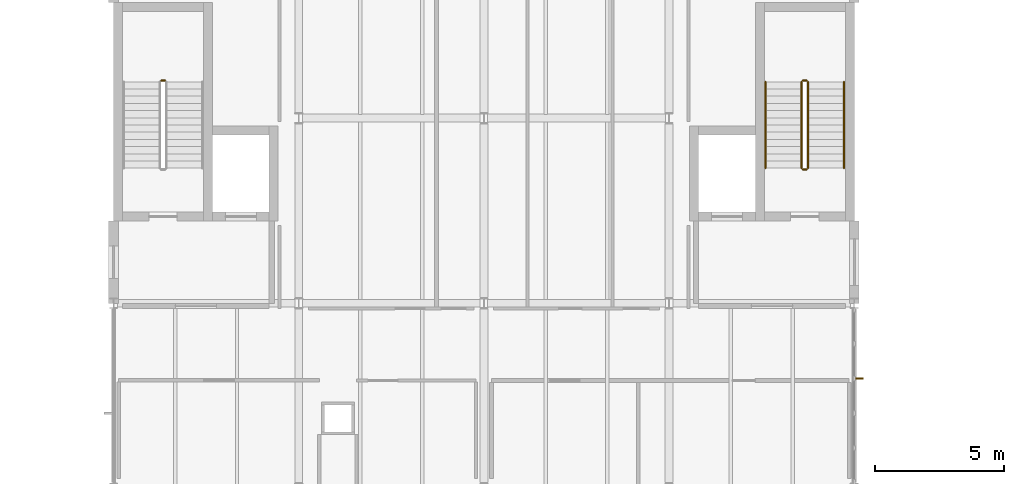
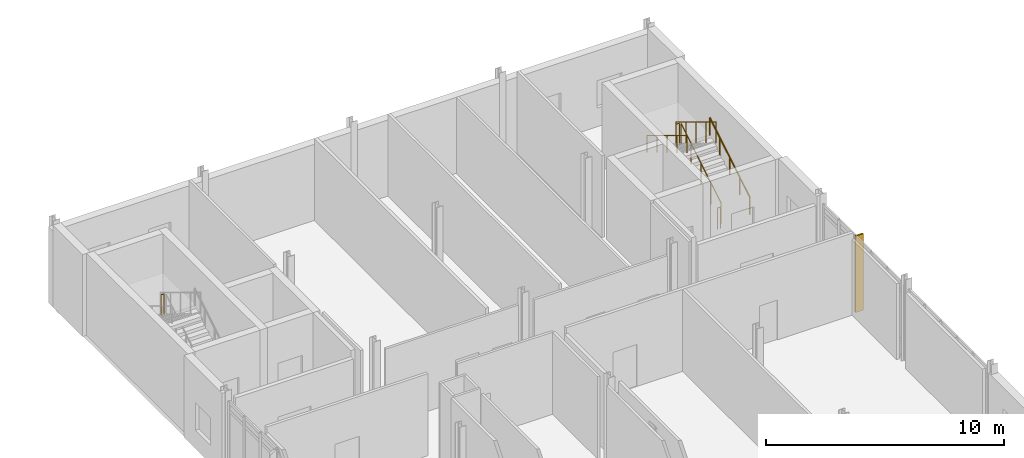
# One storey, part 72 of 72: 7 railings, 1 shading device.
"""IFC4 building model written with IfcOpenShell, lengths in metres."""

from ifc_helpers import new_model, si_unit, direction, frame, origin, origin_2d, place, context, subcontext, project, spatial, rectangle, circle, extrude, material, layer, layer_set, type_object, element, save


model = new_model("IFC4")

# Units and contexts
model_context = context("Model", 3, precision=1e-05, world=origin(), true_north=direction((0.0, 1.0)))
body_context = subcontext(model_context, "Body", "Model", "MODEL_VIEW")
ifc_project = project(units=[si_unit("LENGTHUNIT", "METRE"), si_unit("AREAUNIT", "SQUARE_METRE"), si_unit("VOLUMEUNIT", "CUBIC_METRE"), si_unit("PLANEANGLEUNIT", "RADIAN"), si_unit("MASSUNIT", "GRAM", prefix="KILO")], contexts=[model_context])

# Site, building, storey
site_placement = place(None, origin())
site = spatial("IfcSite", under=ifc_project, at=site_placement, CompositionType="ELEMENT")
building_placement = place(site_placement, origin())
building = spatial("IfcBuilding", under=site, at=building_placement, Name="Zarrinpeak Specialist Clinic", CompositionType="ELEMENT")
storey_placement = place(building_placement, frame((0.0, 0.0, 9.60009765625)))
storey = spatial("IfcBuildingStorey", under=building, at=storey_placement, Name="L02", CompositionType="ELEMENT", Elevation=9.60009765625)

# Railings
ifc_material_1 = material(Name="Laminated Safety Glass and Stainless Steel 316", Category="steel")
ifc_layer_1 = layer(ifc_material_1, 0.06005859375)
ifc_layer_set_1 = layer_set([ifc_layer_1], Name="Laminated Safety Glass and Stainless Steel 316")
railing_type_1 = type_object("IfcRailingType", Name="RL-GRD115", PredefinedType="GUARDRAIL", material=ifc_layer_set_1)
railing_1_placement = place(storey_placement, frame((38.0, 112.260009765625, 2.199951171875)))
element("IfcRailing", 1, at=railing_1_placement, inside=storey, type_object=railing_type_1, Name="L02 ST-11 stair guard 2", PredefinedType="GUARDRAIL", context=body_context, shape_type="SweptSolid", body=[
    extrude(circle(Radius=0.02392578125, at=origin_2d()), frame((0.0, 0.0, 1.076171875), z_axis=(-1.0, 0.0, 0.0), x_axis=(0.0, -1.0, 0.0)), (0.0, 0.0, 1.0), 0.14990234375),
    extrude(circle(Radius=0.02099609375, at=origin_2d()), origin(), (0.0, 0.0, 1.0), 1.052001953125),
    extrude(circle(Radius=0.02099609375, at=origin_2d()), frame((-0.14990234375, 0.0, 0.0)), (0.0, 0.0, 1.0), 1.052001953125),
])
railing_2_placement = place(storey_placement, frame((63.0, 108.85009765625, 0.169189453125)))
element("IfcRailing", 2, at=railing_2_placement, inside=storey, type_object=railing_type_1, Name="L02 ST-12 stair guard 1", PredefinedType="GUARDRAIL", context=body_context, shape_type="SweptSolid", body=[
    extrude(circle(Radius=0.02392578125, at=origin_2d()), frame((0.0, 0.0, 1.076171875), z_axis=(0.0, 0.855820338506, 0.51727318527), x_axis=(-1.0, 0.0, 0.0)), (0.0, 0.0, 1.0), 3.92578125),
    extrude(circle(Radius=0.02099609375, at=origin_2d()), origin(), (0.0, 0.0, 1.0), 1.052001953125),
    extrude(circle(Radius=0.02099609375, at=origin_2d()), frame((0.0, 0.83984375, 0.5078125)), (0.0, 0.0, 1.0), 1.052001953125),
    extrude(circle(Radius=0.02099609375, at=origin_2d()), frame((0.0, 1.679931640625, 1.015380859375)), (0.0, 0.0, 1.0), 1.052001953125),
    extrude(circle(Radius=0.02099609375, at=origin_2d()), frame((0.0, 2.52001953125, 1.52294921875)), (0.0, 0.0, 1.0), 1.052001953125),
    extrude(circle(Radius=0.02099609375, at=origin_2d()), frame((0.0, 3.35986328125, 2.03076171875)), (0.0, 0.0, 1.0), 1.052001953125),
])
railing_3_placement = place(storey_placement, frame((62.949951171875, 112.260009765625, 2.199951171875)))
element("IfcRailing", 3, at=railing_3_placement, inside=storey, type_object=railing_type_1, Name="L02 ST-12 stair guard 2", PredefinedType="GUARDRAIL", context=body_context, shape_type="SweptSolid", body=[
    extrude(circle(Radius=0.02392578125, at=origin_2d()), frame((0.0, 0.0, 1.076171875), z_axis=(-1.0, 0.0, 0.0), x_axis=(0.0, -1.0, 0.0)), (0.0, 0.0, 1.0), 0.14990234375),
    extrude(circle(Radius=0.02099609375, at=origin_2d()), origin(), (0.0, 0.0, 1.0), 1.052001953125),
    extrude(circle(Radius=0.02099609375, at=origin_2d()), frame((-0.14990234375, 0.0, 0.0)), (0.0, 0.0, 1.0), 1.052001953125),
])
railing_4_placement = place(storey_placement, frame((62.75, 112.2099609375, 2.369140625)))
element("IfcRailing", 4, at=railing_4_placement, inside=storey, type_object=railing_type_1, Name="L02 ST-12 stair guard 3", PredefinedType="GUARDRAIL", context=body_context, shape_type="SweptSolid", body=[
    extrude(circle(Radius=0.02392578125, at=origin_2d()), frame((0.0, 0.0, 1.076171875), z_axis=(0.0, -0.855820338506, 0.51727318527), x_axis=(1.0, 0.0, 0.0)), (0.0, 0.0, 1.0), 3.92578125),
    extrude(circle(Radius=0.02099609375, at=origin_2d()), origin(), (0.0, 0.0, 1.0), 1.052001953125),
    extrude(circle(Radius=0.02099609375, at=origin_2d()), frame((0.0, -0.83984375, 0.5078125)), (0.0, 0.0, 1.0), 1.052001953125),
    extrude(circle(Radius=0.02099609375, at=origin_2d()), frame((0.0, -1.679931640625, 1.015380859375)), (0.0, 0.0, 1.0), 1.052001953125),
    extrude(circle(Radius=0.02099609375, at=origin_2d()), frame((0.0, -2.52001953125, 1.52294921875)), (0.0, 0.0, 1.0), 1.052001953125),
    extrude(circle(Radius=0.02099609375, at=origin_2d()), frame((0.0, -3.35986328125, 2.03076171875)), (0.0, 0.0, 1.0), 1.052001953125),
])
railing_5_placement = place(storey_placement, frame((62.949951171875, 108.800048828125, 0.0)))
element("IfcRailing", 5, at=railing_5_placement, inside=storey, type_object=railing_type_1, Name="L02 ST-12 stair guard 4", PredefinedType="GUARDRAIL", context=body_context, shape_type="SweptSolid", body=[
    extrude(circle(Radius=0.02392578125, at=origin_2d()), frame((0.0, 0.0, 1.076171875), z_axis=(-1.0, 0.0, 0.0), x_axis=(0.0, -1.0, 0.0)), (0.0, 0.0, 1.0), 0.14990234375),
    extrude(circle(Radius=0.02099609375, at=origin_2d()), origin(), (0.0, 0.0, 1.0), 1.052001953125),
    extrude(circle(Radius=0.02099609375, at=origin_2d()), frame((-0.14990234375, 0.0, 0.0)), (0.0, 0.0, 1.0), 1.052001953125),
])
ifc_material_2 = material(Name="Brushed Stainless Steel 316 Handrail", Category="steel")
ifc_layer_2 = layer(ifc_material_2, 0.050048828125)
ifc_layer_set_2 = layer_set([ifc_layer_2], Name="Brushed Stainless Steel 316 Handrail")
railing_type_2 = type_object("IfcRailingType", Name="RL-HND92", PredefinedType="HANDRAIL", material=ifc_layer_set_2)
railing_6_placement = place(storey_placement, frame((64.39990234375, 108.85009765625, 0.169189453125)))
element("IfcRailing", 6, at=railing_6_placement, inside=storey, type_object=railing_type_2, Name="L02 ST-12 stair handrail 1", PredefinedType="HANDRAIL", context=body_context, shape_type="SweptSolid", body=[
    extrude(circle(Radius=0.02392578125, at=origin_2d()), frame((0.0, 0.0, 0.8759765625), z_axis=(0.0, 0.855820338506, 0.51727318527), x_axis=(-1.0, 0.0, 0.0)), (0.0, 0.0, 1.0), 3.92578125),
    extrude(circle(Radius=0.02099609375, at=origin_2d()), origin(), (0.0, 0.0, 1.0), 0.851806640625),
    extrude(circle(Radius=0.02099609375, at=origin_2d()), frame((0.0, 0.83984375, 0.5078125)), (0.0, 0.0, 1.0), 0.851806640625),
    extrude(circle(Radius=0.02099609375, at=origin_2d()), frame((0.0, 1.679931640625, 1.015380859375)), (0.0, 0.0, 1.0), 0.851806640625),
    extrude(circle(Radius=0.02099609375, at=origin_2d()), frame((0.0, 2.52001953125, 1.52294921875)), (0.0, 0.0, 1.0), 0.851806640625),
    extrude(circle(Radius=0.02099609375, at=origin_2d()), frame((0.0, 3.35986328125, 2.03076171875)), (0.0, 0.0, 1.0), 0.851806640625),
])
railing_7_placement = place(storey_placement, frame((61.35009765625, 112.2099609375, 2.369140625)))
element("IfcRailing", 7, at=railing_7_placement, inside=storey, type_object=railing_type_2, Name="L02 ST-12 stair handrail 2", PredefinedType="HANDRAIL", context=body_context, shape_type="SweptSolid", body=[
    extrude(circle(Radius=0.02392578125, at=origin_2d()), frame((0.0, 0.0, 0.8759765625), z_axis=(0.0, -0.855820338506, 0.51727318527), x_axis=(1.0, 0.0, 0.0)), (0.0, 0.0, 1.0), 3.92578125),
    extrude(circle(Radius=0.02099609375, at=origin_2d()), origin(), (0.0, 0.0, 1.0), 0.851806640625),
    extrude(circle(Radius=0.02099609375, at=origin_2d()), frame((0.0, -0.83984375, 0.5078125)), (0.0, 0.0, 1.0), 0.851806640625),
    extrude(circle(Radius=0.02099609375, at=origin_2d()), frame((0.0, -1.679931640625, 1.015380859375)), (0.0, 0.0, 1.0), 0.851806640625),
    extrude(circle(Radius=0.02099609375, at=origin_2d()), frame((0.0, -2.52001953125, 1.52294921875)), (0.0, 0.0, 1.0), 0.851806640625),
    extrude(circle(Radius=0.02099609375, at=origin_2d()), frame((0.0, -3.35986328125, 2.03076171875)), (0.0, 0.0, 1.0), 0.851806640625),
])

# Shading device
ifc_material_3 = material(Name="Anodised Bronze Aluminium", Category="aluminium")
shading_device_type = type_object("IfcShadingDeviceType", Name="SHD-FIN-BZ", PredefinedType="JALOUSIE", material=ifc_material_3)
shading_device_placement = place(storey_placement, frame((64.965087890625, 100.675048828125, -0.01513671875), z_axis=(0.0, 0.0, 1.0), x_axis=(1.0, 0.0, 0.0)))
element("IfcShadingDevice", 8, at=shading_device_placement, inside=storey, type_object=shading_device_type, Name="L02 V6 Solar Control Fin FIN-092", PredefinedType="JALOUSIE", context=body_context, shape_type="SweptSolid", body=[
    extrude(rectangle(XDim=0.3798828125, YDim=0.074951171875, at=origin_2d()), origin(), (0.0, 0.0, 1.0), 3.9150390625),
])

save(model, "model.ifc")
